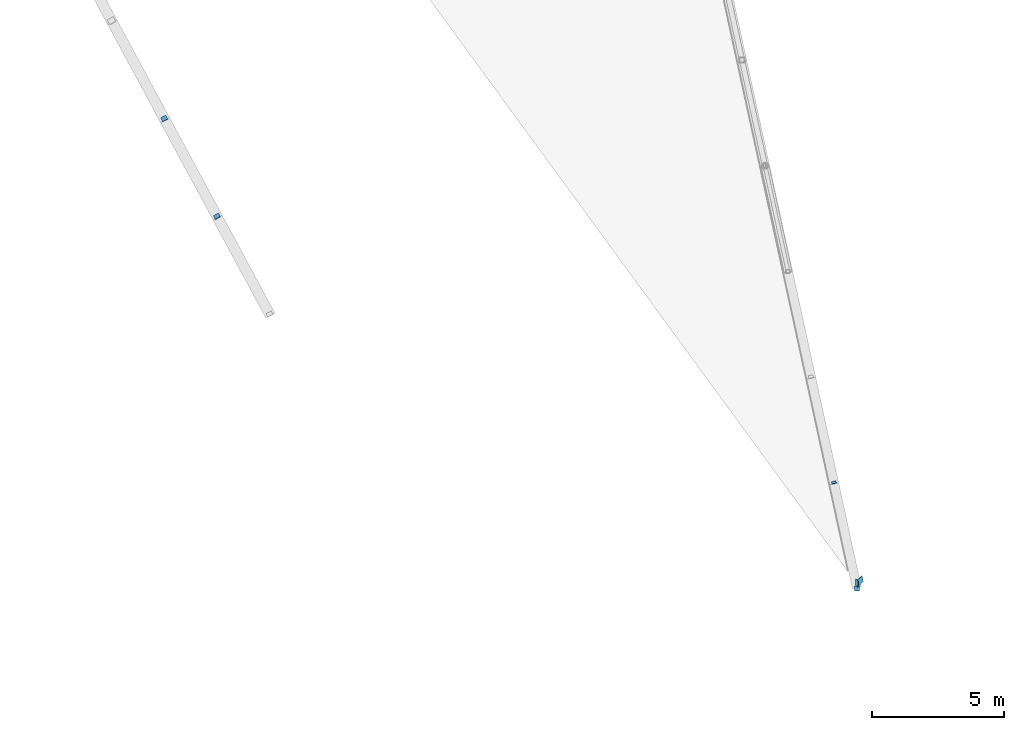
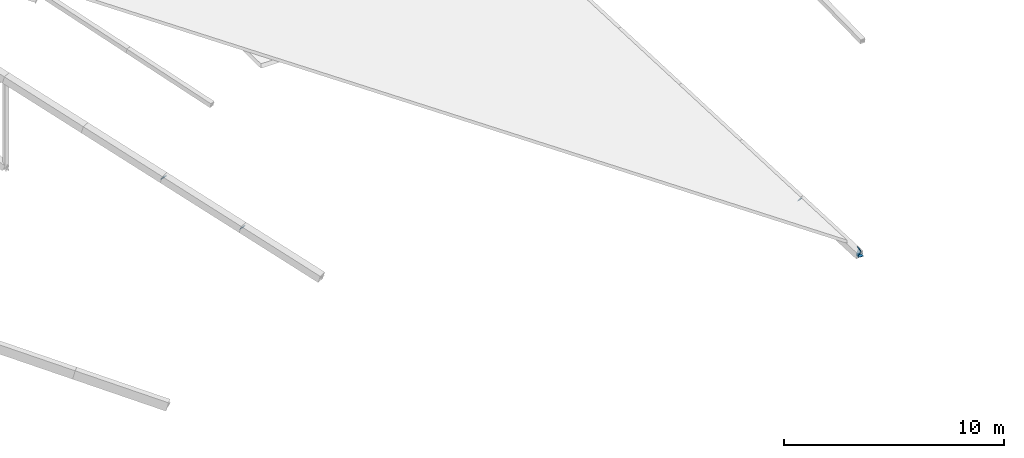
# One storey, part 163 of 188: 6 discrete accessories.
"""IFC4 building model written with IfcOpenShell, lengths in metres."""

from ifc_helpers import new_model, si_unit, direction, frame, origin, origin_2d, place, context, subcontext, project, spatial, rectangle, extrude, material, material_profile, profile_set, type_object, element, save


model = new_model("IFC4")

# Units and contexts
model_context = context("Model", 3, precision=1e-05, world=origin(), true_north=direction((0.0, 1.0)))
body_context = subcontext(model_context, "Body", "Model", "MODEL_VIEW")
ifc_project = project(units=[si_unit("LENGTHUNIT", "METRE"), si_unit("AREAUNIT", "SQUARE_METRE"), si_unit("VOLUMEUNIT", "CUBIC_METRE"), si_unit("PLANEANGLEUNIT", "RADIAN"), si_unit("MASSUNIT", "GRAM", prefix="KILO")], contexts=[model_context])

# Site, building, storey
site_placement = place(None, origin())
site = spatial("IfcSite", under=ifc_project, at=site_placement, CompositionType="ELEMENT")
building_placement = place(site_placement, origin())
building = spatial("IfcBuilding", under=site, at=building_placement, Name="Meseta Stadium", CompositionType="ELEMENT")
storey_placement = place(building_placement, frame((0.0, 0.0, 30.0)))
storey = spatial("IfcBuildingStorey", under=building, at=storey_placement, Name="ROOF", CompositionType="ELEMENT", Elevation=30.0)

# Discrete accessories
ifc_material_1 = material(Name="Steel S355", Category="steel")
ifc_material_profile_1 = material_profile(ifc_material_1, rectangle(XDim=0.179931640625, YDim=0.179931640625, at=origin_2d()), Name="PL 180x180")
ifc_profile_set_1 = profile_set([ifc_material_profile_1], Name="Steel S355")
discrete_accessory_type_1 = type_object("IfcDiscreteAccessoryType", Name="End plate 180x180x20", PredefinedType="ANCHORPLATE", material=ifc_profile_set_1)
for number, where, z_axis, x_axis, name in (
    (1, (-14.3896484375, 65.8369140625, 0.693115234375), (0.0, 0.0, 1.0), (1.0, 0.0, 0.0), "End plate of ROOF TRUSS RT-20 post"),
    (2, (-15.2626953125, 69.847900390625, 1.685546875), (-0.181821521087, 0.84850043174, 0.496978824305), (-0.977802414077, -0.209529088731, 0.0), "End plate of ROOF TRUSS RT-20 diagonal"),
):
    element("IfcDiscreteAccessory", number, at=place(storey_placement, frame(where, z_axis=z_axis, x_axis=x_axis)), inside=storey, type_object=discrete_accessory_type_1, Name=name, PredefinedType="ANCHORPLATE", context=body_context, shape_type="SweptSolid", body=[
        extrude(rectangle(XDim=0.179931640625, YDim=0.179931640625, at=origin_2d()), origin(), (0.0, 0.0, 1.0), 0.02001953125),
    ])
ifc_material_2 = material(Name="Steel S355", Category="steel")
ifc_material_profile_2 = material_profile(ifc_material_2, rectangle(XDim=0.219970703125, YDim=0.219970703125, at=origin_2d()), Name="PL 220x220")
ifc_profile_set_2 = profile_set([ifc_material_profile_2], Name="Steel S355")
discrete_accessory_type_2 = type_object("IfcDiscreteAccessoryType", Name="End plate 220x220x20", PredefinedType="ANCHORPLATE", material=ifc_profile_set_2)
for number, where, z_axis, x_axis, name in (
    (3, (-38.682373046875, 79.9521484375, 2.210205078125), (-0.340830394523, 0.620798218596, 0.706005817226), (-0.87657855078, -0.481258812193, 0.0), "End plate of ROOF TRUSS RT-22 diagonal"),
    (4, (-40.682373046875, 83.6650390625, 3.4267578125), (-0.317616853461, 0.586369575619, 0.74517800235), (-0.879291966537, -0.476283148541, 0.0), "End plate of ROOF TRUSS RT-22 diagonal"),
):
    element("IfcDiscreteAccessory", number, at=place(storey_placement, frame(where, z_axis=z_axis, x_axis=x_axis)), inside=storey, type_object=discrete_accessory_type_2, Name=name, PredefinedType="ANCHORPLATE", context=body_context, shape_type="SweptSolid", body=[
        extrude(rectangle(XDim=0.219970703125, YDim=0.219970703125, at=origin_2d()), origin(), (0.0, 0.0, 1.0), 0.02001953125),
    ])
ifc_material_3 = material(Name="Steel S355", Category="steel")
ifc_material_profile_3 = material_profile(ifc_material_3, rectangle(XDim=0.239990234375, YDim=0.43994140625, at=origin_2d()), Name="PL 240x440")
ifc_profile_set_3 = profile_set([ifc_material_profile_3], Name="Steel S355")
discrete_accessory_type_3 = type_object("IfcDiscreteAccessoryType", Name="End plate 240x440x20", PredefinedType="ANCHORPLATE", material=ifc_profile_set_3)
discrete_accessory_1_placement = place(storey_placement, frame((-14.38037109375, 66.03564453125, 0.7314453125), z_axis=(-0.982798016298, -0.012284975204, 0.184274628056), x_axis=(-0.024859782968, -0.979904406345, -0.197912469584)))
element("IfcDiscreteAccessory", 5, at=discrete_accessory_1_placement, inside=storey, type_object=discrete_accessory_type_3, Name="End plate of TIP RING BEAM 20", PredefinedType="ANCHORPLATE", context=body_context, shape_type="SweptSolid", body=[
    extrude(rectangle(XDim=0.239990234375, YDim=0.43994140625, at=origin_2d()), origin(), (0.0, 0.0, 1.0), 0.019775390625),
])
discrete_accessory_2_placement = place(storey_placement, frame((-14.26513671875, 66.12158203125, 0.79931640625), z_axis=(-0.879029804347, -0.024417494565, -0.476141144021), x_axis=(0.205226203448, -0.920806703528, -0.331658288237)))
element("IfcDiscreteAccessory", 6, at=discrete_accessory_2_placement, inside=storey, type_object=discrete_accessory_type_3, Name="End plate of TIP RING BEAM 21", PredefinedType="ANCHORPLATE", context=body_context, shape_type="SweptSolid", body=[
    extrude(rectangle(XDim=0.239990234375, YDim=0.43994140625, at=origin_2d()), origin(), (0.0, 0.0, 1.0), 0.02001953125),
])

save(model, "model.ifc")
